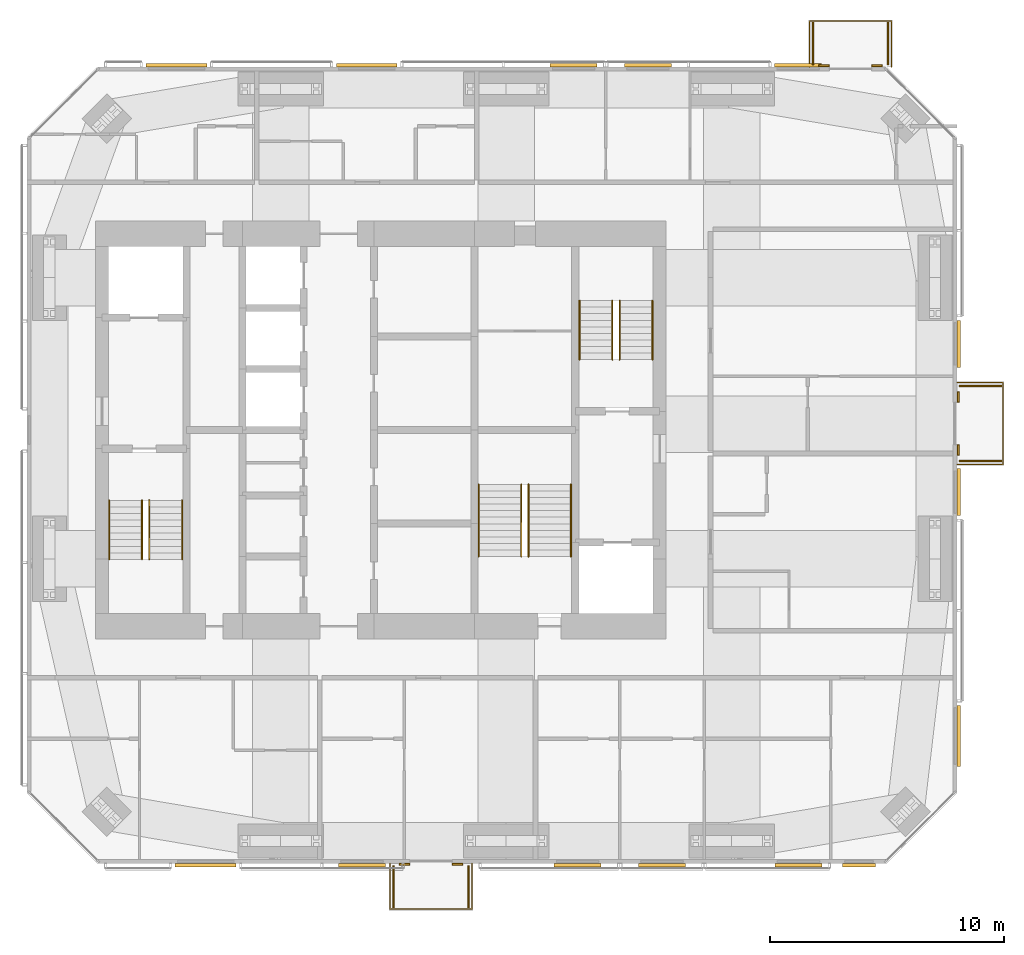
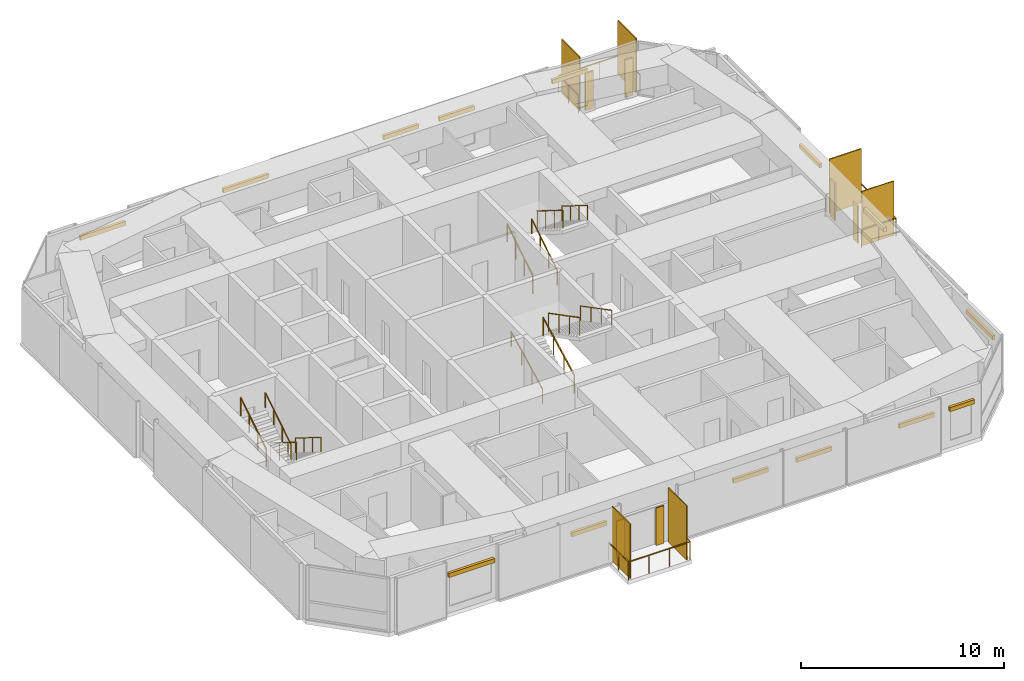
# One storey, part 18 of 18: 26 shading devices, 15 railings.
"""IFC4 building model written with IfcOpenShell, lengths in metres."""

from ifc_helpers import new_model, si_unit, direction, frame, origin, origin_2d, place, context, subcontext, project, spatial, rectangle, circle, extrude, material, layer, layer_set, constituent, constituent_set, type_object, element, save


model = new_model("IFC4")

# Units and contexts
model_context = context("Model", 3, precision=1e-05, world=origin(), true_north=direction((0.0, 1.0)))
body_context = subcontext(model_context, "Body", "Model", "MODEL_VIEW")
ifc_project = project(units=[si_unit("LENGTHUNIT", "METRE"), si_unit("AREAUNIT", "SQUARE_METRE"), si_unit("VOLUMEUNIT", "CUBIC_METRE"), si_unit("PLANEANGLEUNIT", "RADIAN"), si_unit("MASSUNIT", "GRAM", prefix="KILO")], contexts=[model_context])

# Site, building, storey
site_placement = place(None, origin())
site = spatial("IfcSite", under=ifc_project, at=site_placement, CompositionType="ELEMENT")
building_placement = place(site_placement, origin())
building = spatial("IfcBuilding", under=site, at=building_placement, Name="Jalousie Tower", CompositionType="ELEMENT")
storey_placement = place(building_placement, frame((0.0, 0.0, 231.949951171875)))
storey = spatial("IfcBuildingStorey", under=building, at=storey_placement, Name="L63", CompositionType="ELEMENT", Elevation=231.949951171875)

# Shading devices
ifc_material_1 = material(Name="Aluminium impact-rated louvred storm shutter", Category="aluminium")
shading_device_type_1 = type_object("IfcShadingDeviceType", Name="BI-FOLD STORM SHUTTER 900x2250", PredefinedType="SHUTTER", material=ifc_material_1)
for number, where, z_axis, x_axis, name in (
    (1, (32.9150390625, -0.0400390625, 0.0), (0.0, 0.0, 1.0), (1.0, 0.0, 0.0), "Balcony storm shutter L63"),
    (2, (35.1650390625, -0.0400390625, 0.0), (0.0, 0.0, 1.0), (1.0, 0.0, 0.0), "Balcony storm shutter L63"),
    (3, (56.5400390625, 17.64990234375, 0.0), (0.0, 0.0, 1.0), (0.0, 1.0, 0.0), "Balcony storm shutter L63"),
    (4, (56.5400390625, 19.89990234375, 0.0), (0.0, 0.0, 1.0), (0.0, 1.0, 0.0), "Balcony storm shutter L63"),
    (5, (53.07373046875, 34.0400390625, 0.0), (0.0, 0.0, 1.0), (-1.0, 0.0, 0.0), "Balcony storm shutter L63"),
    (6, (50.82373046875, 34.0400390625, 0.0), (0.0, 0.0, 1.0), (-1.0, 0.0, 0.0), "Balcony storm shutter L63"),
):
    element("IfcShadingDevice", number, at=place(storey_placement, frame(where, z_axis=z_axis, x_axis=x_axis)), inside=storey, type_object=shading_device_type_1, Name=name, PredefinedType="SHUTTER", context=body_context, shape_type="SweptSolid", body=[
        extrude(rectangle(XDim=0.449951171875, YDim=0.080078125, at=origin_2d()), origin(), (0.0, 0.0, 1.0), 2.25),
    ])

# Railings
ifc_material_2 = material(Name="Powder-coated aluminium fretwork", Category="aluminium")
railing_type_1 = type_object("IfcRailingType", Name="FRETWORK BALUSTRADE 1100", PredefinedType="BALUSTRADE", material=ifc_material_2)
railing_1_placement = place(storey_placement, frame((32.2900390625, 0.0, 0.0)))
element("IfcRailing", 7, at=railing_1_placement, inside=storey, type_object=railing_type_1, Name="Balcony fretwork balustrade L63", PredefinedType="BALUSTRADE", context=body_context, shape_type="SweptSolid", body=[
    extrude(rectangle(XDim=0.048095703125, YDim=0.048095703125, at=origin_2d()), frame((0.0, 0.0, 1.076171875), z_axis=(0.0, -1.0, 0.0), x_axis=(1.0, 0.0, 0.0)), (0.0, 0.0, 1.0), 1.949951171875),
    extrude(rectangle(XDim=0.048095703125, YDim=0.048095703125, at=origin_2d()), frame((0.0, -1.949951171875, 1.076171875), z_axis=(1.0, 0.0, 0.0), x_axis=(0.0, 1.0, 0.0)), (0.0, 0.0, 1.0), 3.5),
    extrude(rectangle(XDim=0.048095703125, YDim=0.048095703125, at=origin_2d()), frame((3.5, -1.949951171875, 1.076171875), z_axis=(0.0, 1.0, 0.0), x_axis=(-1.0, 0.0, 0.0)), (0.0, 0.0, 1.0), 1.949951171875),
    extrude(circle(Radius=0.02099609375, at=origin_2d()), origin(), (0.0, 0.0, 1.0), 1.052001953125),
    extrude(circle(Radius=0.02099609375, at=origin_2d()), frame((0.0, -0.97509765625, 0.0)), (0.0, 0.0, 1.0), 1.052001953125),
    extrude(circle(Radius=0.02099609375, at=origin_2d()), frame((0.0, -1.949951171875, 0.0)), (0.0, 0.0, 1.0), 1.052001953125),
    extrude(circle(Radius=0.02099609375, at=origin_2d()), frame((1.166748046875, -1.949951171875, 0.0)), (0.0, 0.0, 1.0), 1.052001953125),
    extrude(circle(Radius=0.02099609375, at=origin_2d()), frame((2.333251953125, -1.949951171875, 0.0)), (0.0, 0.0, 1.0), 1.052001953125),
    extrude(circle(Radius=0.02099609375, at=origin_2d()), frame((3.5, -1.949951171875, 0.0)), (0.0, 0.0, 1.0), 1.052001953125),
    extrude(circle(Radius=0.02099609375, at=origin_2d()), frame((3.5, -0.97509765625, 0.0)), (0.0, 0.0, 1.0), 1.052001953125),
    extrude(circle(Radius=0.02099609375, at=origin_2d()), frame((3.5, 0.0, 0.0)), (0.0, 0.0, 1.0), 1.052001953125),
])
railing_2_placement = place(storey_placement, frame((56.5, 17.02490234375, 0.0)))
element("IfcRailing", 8, at=railing_2_placement, inside=storey, type_object=railing_type_1, Name="Balcony fretwork balustrade L63", PredefinedType="BALUSTRADE", context=body_context, shape_type="SweptSolid", body=[
    extrude(rectangle(XDim=0.048095703125, YDim=0.048095703125, at=origin_2d()), frame((0.0, 0.0, 1.076171875), z_axis=(1.0, 0.0, 0.0), x_axis=(0.0, 1.0, 0.0)), (0.0, 0.0, 1.0), 1.949951171875),
    extrude(rectangle(XDim=0.048095703125, YDim=0.048095703125, at=origin_2d()), frame((1.949951171875, 0.0, 1.076171875), z_axis=(0.0, 1.0, 0.0), x_axis=(-1.0, 0.0, 0.0)), (0.0, 0.0, 1.0), 3.5),
    extrude(rectangle(XDim=0.048095703125, YDim=0.048095703125, at=origin_2d()), frame((1.949951171875, 3.5, 1.076171875), z_axis=(-1.0, 0.0, 0.0), x_axis=(0.0, -1.0, 0.0)), (0.0, 0.0, 1.0), 1.949951171875),
    extrude(circle(Radius=0.02099609375, at=origin_2d()), origin(), (0.0, 0.0, 1.0), 1.052001953125),
    extrude(circle(Radius=0.02099609375, at=origin_2d()), frame((0.97509765625, 0.0, 0.0)), (0.0, 0.0, 1.0), 1.052001953125),
    extrude(circle(Radius=0.02099609375, at=origin_2d()), frame((1.949951171875, 0.0, 0.0)), (0.0, 0.0, 1.0), 1.052001953125),
    extrude(circle(Radius=0.02099609375, at=origin_2d()), frame((1.949951171875, 1.166748046875, 0.0)), (0.0, 0.0, 1.0), 1.052001953125),
    extrude(circle(Radius=0.02099609375, at=origin_2d()), frame((1.949951171875, 2.333251953125, 0.0)), (0.0, 0.0, 1.0), 1.052001953125),
    extrude(circle(Radius=0.02099609375, at=origin_2d()), frame((1.949951171875, 3.5, 0.0)), (0.0, 0.0, 1.0), 1.052001953125),
    extrude(circle(Radius=0.02099609375, at=origin_2d()), frame((0.97509765625, 3.5, 0.0)), (0.0, 0.0, 1.0), 1.052001953125),
    extrude(circle(Radius=0.02099609375, at=origin_2d()), frame((0.0, 3.5, 0.0)), (0.0, 0.0, 1.0), 1.052001953125),
])
railing_3_placement = place(storey_placement, frame((53.69873046875, 34.0, 0.0)))
element("IfcRailing", 9, at=railing_3_placement, inside=storey, type_object=railing_type_1, Name="Balcony fretwork balustrade L63", PredefinedType="BALUSTRADE", context=body_context, shape_type="SweptSolid", body=[
    extrude(rectangle(XDim=0.048095703125, YDim=0.048095703125, at=origin_2d()), frame((0.0, 0.0, 1.076171875), z_axis=(0.0, 1.0, 0.0), x_axis=(-1.0, 0.0, 0.0)), (0.0, 0.0, 1.0), 1.949951171875),
    extrude(rectangle(XDim=0.048095703125, YDim=0.048095703125, at=origin_2d()), frame((0.0, 1.949951171875, 1.076171875), z_axis=(-1.0, 0.0, 0.0), x_axis=(0.0, -1.0, 0.0)), (0.0, 0.0, 1.0), 3.5),
    extrude(rectangle(XDim=0.048095703125, YDim=0.048095703125, at=origin_2d()), frame((-3.5, 1.949951171875, 1.076171875), z_axis=(0.0, -1.0, 0.0), x_axis=(1.0, 0.0, 0.0)), (0.0, 0.0, 1.0), 1.949951171875),
    extrude(circle(Radius=0.02099609375, at=origin_2d()), origin(), (0.0, 0.0, 1.0), 1.052001953125),
    extrude(circle(Radius=0.02099609375, at=origin_2d()), frame((0.0, 0.97509765625, 0.0)), (0.0, 0.0, 1.0), 1.052001953125),
    extrude(circle(Radius=0.02099609375, at=origin_2d()), frame((0.0, 1.949951171875, 0.0)), (0.0, 0.0, 1.0), 1.052001953125),
    extrude(circle(Radius=0.02099609375, at=origin_2d()), frame((-1.166748046875, 1.949951171875, 0.0)), (0.0, 0.0, 1.0), 1.052001953125),
    extrude(circle(Radius=0.02099609375, at=origin_2d()), frame((-2.333251953125, 1.949951171875, 0.0)), (0.0, 0.0, 1.0), 1.052001953125),
    extrude(circle(Radius=0.02099609375, at=origin_2d()), frame((-3.5, 1.949951171875, 0.0)), (0.0, 0.0, 1.0), 1.052001953125),
    extrude(circle(Radius=0.02099609375, at=origin_2d()), frame((-3.5, 0.97509765625, 0.0)), (0.0, 0.0, 1.0), 1.052001953125),
    extrude(circle(Radius=0.02099609375, at=origin_2d()), frame((-3.5, 0.0, 0.0)), (0.0, 0.0, 1.0), 1.052001953125),
])

# Shading devices
ifc_material_3 = material(Name="Powder-coated aluminium louvres", Category="aluminium")
ifc_layer = layer(ifc_material_3, 0.06005859375)
ifc_layer_set = layer_set([ifc_layer], Name="Powder-coated aluminium louvres")
shading_device_type_2 = type_object("IfcShadingDeviceType", Name="JALOUSIE LOUVRE SCREEN", PredefinedType="JALOUSIE", material=ifc_layer_set)
for number, where, z_axis, x_axis, name in (
    (10, (32.43994140625, -1.0, 0.0), (0.0, 0.0, 1.0), (1.0, 0.0, 0.0), "Jalousie louvre screen L63"),
    (11, (35.639892578125, -1.0, 0.0), (0.0, 0.0, 1.0), (1.0, 0.0, 0.0), "Jalousie louvre screen L63"),
    (12, (57.5, 17.175048828125, 0.0), (0.0, 0.0, 1.0), (0.0, 1.0, 0.0), "Jalousie louvre screen L63"),
    (13, (57.5, 20.375, 0.0), (0.0, 0.0, 1.0), (0.0, 1.0, 0.0), "Jalousie louvre screen L63"),
    (14, (53.548583984375, 35.0, 0.0), (0.0, 0.0, 1.0), (-1.0, 0.0, 0.0), "Jalousie louvre screen L63"),
    (15, (50.3486328125, 35.0, 0.0), (0.0, 0.0, 1.0), (-1.0, 0.0, 0.0), "Jalousie louvre screen L63"),
):
    element("IfcShadingDevice", number, at=place(storey_placement, frame(where, z_axis=z_axis, x_axis=x_axis)), inside=storey, type_object=shading_device_type_2, Name=name, PredefinedType="JALOUSIE", context=body_context, shape_type="SweptSolid", body=[
        extrude(rectangle(XDim=0.06005859375, YDim=1.800048828125, at=origin_2d()), origin(), (0.0, 0.0, 1.0), 3.260009765625),
    ])

# Railings
ifc_material_4 = material(Name="Steel ASTM A500 Grade C", Category="steel")
ifc_constituent_1 = constituent(ifc_material_4, Name="Body")
ifc_material_5 = material(Name="Hot-dip galvanised zinc coating")
ifc_constituent_2 = constituent(ifc_material_5, Name="Finish")
ifc_constituent_set_1 = constituent_set(constituents=[ifc_constituent_1, ifc_constituent_2])
railing_type_2 = type_object("IfcRailingType", Name="STAIR GUARD 1100", PredefinedType="GUARDRAIL", material=ifc_constituent_set_1)
railing_4_placement = place(storey_placement, frame((22.017578125, 15.49755859375, 0.175048828125)))
element("IfcRailing", 16, at=railing_4_placement, inside=storey, type_object=railing_type_2, Name="Exit stair A guard L63 flight 1", PredefinedType="GUARDRAIL", context=body_context, shape_type="SweptSolid", body=[
    extrude(rectangle(XDim=0.048095703125, YDim=0.048095703125, at=origin_2d()), frame((0.0, 0.0, 1.076171875), z_axis=(0.0, -0.848007534815, 0.529984170421), x_axis=(1.0, 0.0, 0.0)), (0.0, 0.0, 1.0), 2.9716796875),
    extrude(circle(Radius=0.02099609375, at=origin_2d()), origin(), (0.0, 0.0, 1.0), 1.052001953125),
    extrude(circle(Radius=0.02099609375, at=origin_2d()), frame((0.0, -0.840087890625, 0.52490234375)), (0.0, 0.0, 1.0), 1.052001953125),
    extrude(circle(Radius=0.02099609375, at=origin_2d()), frame((0.0, -1.679931640625, 1.050048828125)), (0.0, 0.0, 1.0), 1.052001953125),
    extrude(circle(Radius=0.02099609375, at=origin_2d()), frame((0.0, -2.52001953125, 1.574951171875)), (0.0, 0.0, 1.0), 1.052001953125),
])
for number, where, name in (
    (17, (20.304931640625, 12.9775390625, 1.925048828125), "Exit stair A guard L63 flight 2"),
    (18, (40.3798828125, 21.50244140625, 0.175048828125), "Exit stair B guard L63 flight 1"),
):
    element("IfcRailing", number, at=place(storey_placement, frame(where)), inside=storey, type_object=railing_type_2, Name=name, PredefinedType="GUARDRAIL", context=body_context, shape_type="SweptSolid", body=[
        extrude(rectangle(XDim=0.048095703125, YDim=0.048095703125, at=origin_2d()), frame((0.0, 0.0, 1.076171875), z_axis=(0.0, 0.848007534815, 0.529984170421), x_axis=(-1.0, 0.0, 0.0)), (0.0, 0.0, 1.0), 2.9716796875),
        extrude(circle(Radius=0.02099609375, at=origin_2d()), origin(), (0.0, 0.0, 1.0), 1.052001953125),
        extrude(circle(Radius=0.02099609375, at=origin_2d()), frame((0.0, 0.840087890625, 0.52490234375)), (0.0, 0.0, 1.0), 1.052001953125),
        extrude(circle(Radius=0.02099609375, at=origin_2d()), frame((0.0, 1.679931640625, 1.050048828125)), (0.0, 0.0, 1.0), 1.052001953125),
        extrude(circle(Radius=0.02099609375, at=origin_2d()), frame((0.0, 2.52001953125, 1.574951171875)), (0.0, 0.0, 1.0), 1.052001953125),
    ])
railing_5_placement = place(storey_placement, frame((42.092529296875, 24.0224609375, 1.925048828125)))
element("IfcRailing", 19, at=railing_5_placement, inside=storey, type_object=railing_type_2, Name="Exit stair B guard L63 flight 2", PredefinedType="GUARDRAIL", context=body_context, shape_type="SweptSolid", body=[
    extrude(rectangle(XDim=0.048095703125, YDim=0.048095703125, at=origin_2d()), frame((0.0, 0.0, 1.076171875), z_axis=(0.0, -0.848007534815, 0.529984170421), x_axis=(1.0, 0.0, 0.0)), (0.0, 0.0, 1.0), 2.9716796875),
    extrude(circle(Radius=0.02099609375, at=origin_2d()), origin(), (0.0, 0.0, 1.0), 1.052001953125),
    extrude(circle(Radius=0.02099609375, at=origin_2d()), frame((0.0, -0.840087890625, 0.52490234375)), (0.0, 0.0, 1.0), 1.052001953125),
    extrude(circle(Radius=0.02099609375, at=origin_2d()), frame((0.0, -1.679931640625, 1.050048828125)), (0.0, 0.0, 1.0), 1.052001953125),
    extrude(circle(Radius=0.02099609375, at=origin_2d()), frame((0.0, -2.52001953125, 1.574951171875)), (0.0, 0.0, 1.0), 1.052001953125),
])
railing_6_placement = place(storey_placement, frame((37.89501953125, 13.097412109375, 0.145751953125)))
element("IfcRailing", 20, at=railing_6_placement, inside=storey, type_object=railing_type_2, Name="Exit stair C guard L63 flight 1", PredefinedType="GUARDRAIL", context=body_context, shape_type="SweptSolid", body=[
    extrude(rectangle(XDim=0.048095703125, YDim=0.048095703125, at=origin_2d()), frame((0.0, 0.0, 1.076171875), z_axis=(0.0, 0.886909283822, 0.461943635383), x_axis=(-1.0, 0.0, 0.0)), (0.0, 0.0, 1.0), 3.472900390625),
    extrude(circle(Radius=0.02099609375, at=origin_2d()), origin(), (0.0, 0.0, 1.0), 1.052001953125),
    extrude(circle(Radius=0.02099609375, at=origin_2d()), frame((0.0, 1.026611328125, 0.53466796875)), (0.0, 0.0, 1.0), 1.052001953125),
    extrude(circle(Radius=0.02099609375, at=origin_2d()), frame((0.0, 2.053466796875, 1.069580078125)), (0.0, 0.0, 1.0), 1.052001953125),
    extrude(circle(Radius=0.02099609375, at=origin_2d()), frame((0.0, 3.080078125, 1.604248046875)), (0.0, 0.0, 1.0), 1.052001953125),
])
railing_7_placement = place(storey_placement, frame((38.205078125, 16.177490234375, 1.895751953125)))
element("IfcRailing", 21, at=railing_7_placement, inside=storey, type_object=railing_type_2, Name="Exit stair C guard L63 flight 2", PredefinedType="GUARDRAIL", context=body_context, shape_type="SweptSolid", body=[
    extrude(rectangle(XDim=0.048095703125, YDim=0.048095703125, at=origin_2d()), frame((0.0, 0.0, 1.076171875), z_axis=(0.0, -0.886909283822, 0.461943635383), x_axis=(1.0, 0.0, 0.0)), (0.0, 0.0, 1.0), 3.472900390625),
    extrude(circle(Radius=0.02099609375, at=origin_2d()), origin(), (0.0, 0.0, 1.0), 1.052001953125),
    extrude(circle(Radius=0.02099609375, at=origin_2d()), frame((0.0, -1.026611328125, 0.53466796875)), (0.0, 0.0, 1.0), 1.052001953125),
    extrude(circle(Radius=0.02099609375, at=origin_2d()), frame((0.0, -2.053466796875, 1.069580078125)), (0.0, 0.0, 1.0), 1.052001953125),
    extrude(circle(Radius=0.02099609375, at=origin_2d()), frame((0.0, -3.080078125, 1.604248046875)), (0.0, 0.0, 1.0), 1.052001953125),
])
ifc_material_6 = material(Name="Steel ASTM A500 Grade C", Category="steel")
ifc_constituent_3 = constituent(ifc_material_6, Name="Body")
ifc_material_7 = material(Name="Hot-dip galvanised zinc coating")
ifc_constituent_4 = constituent(ifc_material_7, Name="Finish")
ifc_constituent_set_2 = constituent_set(constituents=[ifc_constituent_3, ifc_constituent_4])
railing_type_3 = type_object("IfcRailingType", Name="STAIR HANDRAIL 900", PredefinedType="HANDRAIL", material=ifc_constituent_set_2)
railing_8_placement = place(storey_placement, frame((23.420166015625, 15.49755859375, 0.175048828125)))
element("IfcRailing", 22, at=railing_8_placement, inside=storey, type_object=railing_type_3, Name="Exit stair A handrail L63 flight 1", PredefinedType="HANDRAIL", context=body_context, shape_type="SweptSolid", body=[
    extrude(circle(Radius=0.02392578125, at=origin_2d()), frame((0.0, 0.0, 0.8759765625), z_axis=(0.0, -0.848007534815, 0.529984170421), x_axis=(1.0, 0.0, 0.0)), (0.0, 0.0, 1.0), 2.9716796875),
    extrude(circle(Radius=0.02099609375, at=origin_2d()), origin(), (0.0, 0.0, 1.0), 0.851806640625),
    extrude(circle(Radius=0.02099609375, at=origin_2d()), frame((0.0, -0.840087890625, 0.52490234375)), (0.0, 0.0, 1.0), 0.851806640625),
    extrude(circle(Radius=0.02099609375, at=origin_2d()), frame((0.0, -1.679931640625, 1.050048828125)), (0.0, 0.0, 1.0), 0.851806640625),
    extrude(circle(Radius=0.02099609375, at=origin_2d()), frame((0.0, -2.52001953125, 1.574951171875)), (0.0, 0.0, 1.0), 0.851806640625),
])
for number, where, name in (
    (23, (21.70751953125, 12.9775390625, 1.925048828125), "Exit stair A handrail L63 flight 2"),
    (24, (41.782470703125, 21.50244140625, 0.175048828125), "Exit stair B handrail L63 flight 1"),
):
    element("IfcRailing", number, at=place(storey_placement, frame(where)), inside=storey, type_object=railing_type_3, Name=name, PredefinedType="HANDRAIL", context=body_context, shape_type="SweptSolid", body=[
        extrude(circle(Radius=0.02392578125, at=origin_2d()), frame((0.0, 0.0, 0.8759765625), z_axis=(0.0, 0.848007534815, 0.529984170421), x_axis=(-1.0, 0.0, 0.0)), (0.0, 0.0, 1.0), 2.9716796875),
        extrude(circle(Radius=0.02099609375, at=origin_2d()), origin(), (0.0, 0.0, 1.0), 0.851806640625),
        extrude(circle(Radius=0.02099609375, at=origin_2d()), frame((0.0, 0.840087890625, 0.52490234375)), (0.0, 0.0, 1.0), 0.851806640625),
        extrude(circle(Radius=0.02099609375, at=origin_2d()), frame((0.0, 1.679931640625, 1.050048828125)), (0.0, 0.0, 1.0), 0.851806640625),
        extrude(circle(Radius=0.02099609375, at=origin_2d()), frame((0.0, 2.52001953125, 1.574951171875)), (0.0, 0.0, 1.0), 0.851806640625),
    ])
railing_9_placement = place(storey_placement, frame((43.4951171875, 24.0224609375, 1.925048828125)))
element("IfcRailing", 25, at=railing_9_placement, inside=storey, type_object=railing_type_3, Name="Exit stair B handrail L63 flight 2", PredefinedType="HANDRAIL", context=body_context, shape_type="SweptSolid", body=[
    extrude(circle(Radius=0.02392578125, at=origin_2d()), frame((0.0, 0.0, 0.8759765625), z_axis=(0.0, -0.848007534815, 0.529984170421), x_axis=(1.0, 0.0, 0.0)), (0.0, 0.0, 1.0), 2.9716796875),
    extrude(circle(Radius=0.02099609375, at=origin_2d()), origin(), (0.0, 0.0, 1.0), 0.851806640625),
    extrude(circle(Radius=0.02099609375, at=origin_2d()), frame((0.0, -0.840087890625, 0.52490234375)), (0.0, 0.0, 1.0), 0.851806640625),
    extrude(circle(Radius=0.02099609375, at=origin_2d()), frame((0.0, -1.679931640625, 1.050048828125)), (0.0, 0.0, 1.0), 0.851806640625),
    extrude(circle(Radius=0.02099609375, at=origin_2d()), frame((0.0, -2.52001953125, 1.574951171875)), (0.0, 0.0, 1.0), 0.851806640625),
])
railing_10_placement = place(storey_placement, frame((36.080078125, 13.097412109375, 0.145751953125)))
element("IfcRailing", 26, at=railing_10_placement, inside=storey, type_object=railing_type_3, Name="Exit stair C handrail L63 flight 1", PredefinedType="HANDRAIL", context=body_context, shape_type="SweptSolid", body=[
    extrude(circle(Radius=0.02392578125, at=origin_2d()), frame((0.0, 0.0, 0.8759765625), z_axis=(0.0, 0.886909283822, 0.461943635383), x_axis=(-1.0, 0.0, 0.0)), (0.0, 0.0, 1.0), 3.472900390625),
    extrude(circle(Radius=0.02099609375, at=origin_2d()), origin(), (0.0, 0.0, 1.0), 0.851806640625),
    extrude(circle(Radius=0.02099609375, at=origin_2d()), frame((0.0, 1.026611328125, 0.53466796875)), (0.0, 0.0, 1.0), 0.851806640625),
    extrude(circle(Radius=0.02099609375, at=origin_2d()), frame((0.0, 2.053466796875, 1.069580078125)), (0.0, 0.0, 1.0), 0.851806640625),
    extrude(circle(Radius=0.02099609375, at=origin_2d()), frame((0.0, 3.080078125, 1.604248046875)), (0.0, 0.0, 1.0), 0.851806640625),
])
railing_11_placement = place(storey_placement, frame((40.02001953125, 16.177490234375, 1.895751953125)))
element("IfcRailing", 27, at=railing_11_placement, inside=storey, type_object=railing_type_3, Name="Exit stair C handrail L63 flight 2", PredefinedType="HANDRAIL", context=body_context, shape_type="SweptSolid", body=[
    extrude(circle(Radius=0.02392578125, at=origin_2d()), frame((0.0, 0.0, 0.8759765625), z_axis=(0.0, -0.886909283822, 0.461943635383), x_axis=(1.0, 0.0, 0.0)), (0.0, 0.0, 1.0), 3.472900390625),
    extrude(circle(Radius=0.02099609375, at=origin_2d()), origin(), (0.0, 0.0, 1.0), 0.851806640625),
    extrude(circle(Radius=0.02099609375, at=origin_2d()), frame((0.0, -1.026611328125, 0.53466796875)), (0.0, 0.0, 1.0), 0.851806640625),
    extrude(circle(Radius=0.02099609375, at=origin_2d()), frame((0.0, -2.053466796875, 1.069580078125)), (0.0, 0.0, 1.0), 0.851806640625),
    extrude(circle(Radius=0.02099609375, at=origin_2d()), frame((0.0, -3.080078125, 1.604248046875)), (0.0, 0.0, 1.0), 0.851806640625),
])

# Shading devices
ifc_material_8 = material(Name="Aluminium roller storm shutter", Category="aluminium")
shading_device_type_3 = type_object("IfcShadingDeviceType", Name="STORM SHUTTER HOUSING", PredefinedType="SHUTTER", material=ifc_material_8)
shading_device_1_placement = place(storey_placement, frame((24.423583984375, -0.074951171875, 2.25), z_axis=(0.0, 0.0, 1.0), x_axis=(1.0, 0.0, 0.0)))
element("IfcShadingDevice", 28, at=shading_device_1_placement, inside=storey, type_object=shading_device_type_3, Name="Storm shutter L63", PredefinedType="SHUTTER", context=body_context, shape_type="SweptSolid", body=[
    extrude(rectangle(XDim=2.60009765625, YDim=0.14990234375, at=origin_2d()), origin(), (0.0, 0.0, 1.0), 0.25),
])
for number, where, z_axis, x_axis, name in (
    (29, (31.10009765625, -0.074951171875, 2.25), (0.0, 0.0, 1.0), (1.0, 0.0, 0.0), "Storm shutter L63"),
    (30, (40.300048828125, -0.074951171875, 2.25), (0.0, 0.0, 1.0), (1.0, 0.0, 0.0), "Storm shutter L63"),
    (31, (43.89990234375, -0.074951171875, 2.25), (0.0, 0.0, 1.0), (1.0, 0.0, 0.0), "Storm shutter L63"),
    (32, (49.72998046875, -0.074951171875, 2.25), (0.0, 0.0, 1.0), (1.0, 0.0, 0.0), "Storm shutter L63"),
):
    element("IfcShadingDevice", number, at=place(storey_placement, frame(where, z_axis=z_axis, x_axis=x_axis)), inside=storey, type_object=shading_device_type_3, Name=name, PredefinedType="SHUTTER", context=body_context, shape_type="SweptSolid", body=[
        extrude(rectangle(XDim=2.0, YDim=0.14990234375, at=origin_2d()), origin(), (0.0, 0.0, 1.0), 0.25),
    ])
shading_device_2_placement = place(storey_placement, frame((52.312744140625, -0.074951171875, 2.25), z_axis=(0.0, 0.0, 1.0), x_axis=(1.0, 0.0, 0.0)))
element("IfcShadingDevice", 33, at=shading_device_2_placement, inside=storey, type_object=shading_device_type_3, Name="Storm shutter L63", PredefinedType="SHUTTER", context=body_context, shape_type="SweptSolid", body=[
    extrude(rectangle(XDim=1.39990234375, YDim=0.14990234375, at=origin_2d()), origin(), (0.0, 0.0, 1.0), 0.25),
])
shading_device_3_placement = place(storey_placement, frame((56.574951171875, 5.43798828125, 2.25), z_axis=(0.0, 0.0, 1.0), x_axis=(0.0, 1.0, 0.0)))
element("IfcShadingDevice", 34, at=shading_device_3_placement, inside=storey, type_object=shading_device_type_3, Name="Storm shutter L63", PredefinedType="SHUTTER", context=body_context, shape_type="SweptSolid", body=[
    extrude(rectangle(XDim=2.60009765625, YDim=0.14990234375, at=origin_2d()), origin(), (0.0, 0.0, 1.0), 0.25),
])
for number, where, z_axis, x_axis, name in (
    (35, (56.574951171875, 15.848388671875, 2.25), (0.0, 0.0, 1.0), (0.0, 1.0, 0.0), "Storm shutter L63"),
    (36, (56.574951171875, 22.175048828125, 2.25), (0.0, 0.0, 1.0), (0.0, 1.0, 0.0), "Storm shutter L63"),
    (37, (49.713623046875, 34.074951171875, 2.25), (0.0, 0.0, 1.0), (-1.0, 0.0, 0.0), "Storm shutter L63"),
    (38, (43.300048828125, 34.074951171875, 2.25), (0.0, 0.0, 1.0), (-1.0, 0.0, 0.0), "Storm shutter L63"),
    (39, (40.12890625, 34.074951171875, 2.25), (0.0, 0.0, 1.0), (-1.0, 0.0, 0.0), "Storm shutter L63"),
):
    element("IfcShadingDevice", number, at=place(storey_placement, frame(where, z_axis=z_axis, x_axis=x_axis)), inside=storey, type_object=shading_device_type_3, Name=name, PredefinedType="SHUTTER", context=body_context, shape_type="SweptSolid", body=[
        extrude(rectangle(XDim=2.0, YDim=0.14990234375, at=origin_2d()), origin(), (0.0, 0.0, 1.0), 0.25),
    ])
for number, where, z_axis, x_axis, name in (
    (40, (31.300048828125, 34.074951171875, 2.25), (0.0, 0.0, 1.0), (-1.0, 0.0, 0.0), "Storm shutter L63"),
    (41, (23.175537109375, 34.074951171875, 2.25), (0.0, 0.0, 1.0), (-1.0, 0.0, 0.0), "Storm shutter L63"),
):
    element("IfcShadingDevice", number, at=place(storey_placement, frame(where, z_axis=z_axis, x_axis=x_axis)), inside=storey, type_object=shading_device_type_3, Name=name, PredefinedType="SHUTTER", context=body_context, shape_type="SweptSolid", body=[
        extrude(rectangle(XDim=2.60009765625, YDim=0.14990234375, at=origin_2d()), origin(), (0.0, 0.0, 1.0), 0.25),
    ])

save(model, "model.ifc")
